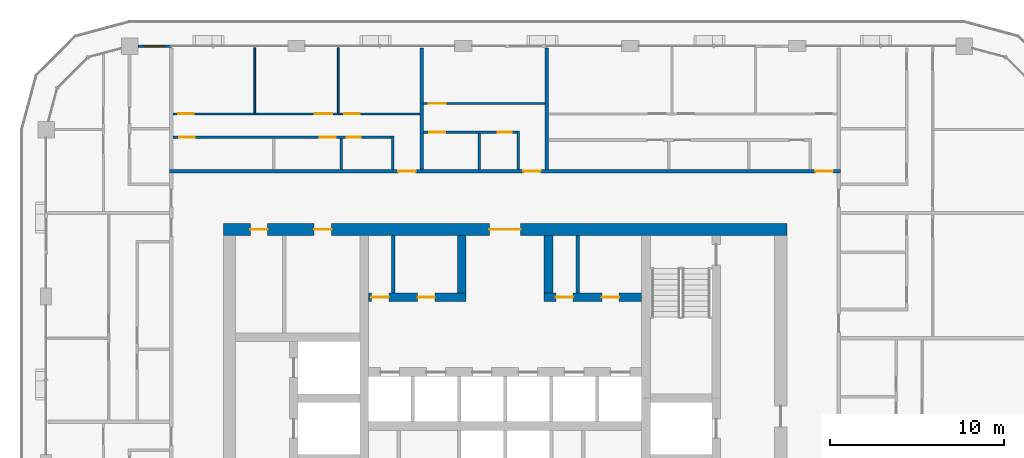
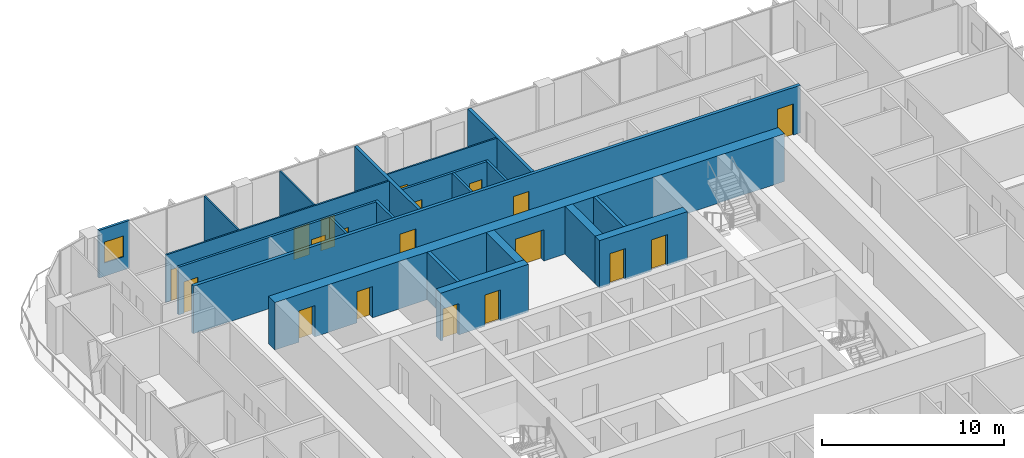
# One storey, part 14 of 22: 21 walls, 19 doors, 1 window, 20 openings.
"""IFC4 building model written with IfcOpenShell, lengths in metres."""

from ifc_helpers import new_model, si_unit, direction, frame, frame_2d, origin, place, context, subcontext, project, spatial, rectangle, extrude, material, layer, layer_set, type_object, element, fill, save


model = new_model("IFC4")

# Units and contexts
model_context = context("Model", 3, precision=1e-05, world=origin(), true_north=direction((0.0, 1.0)))
body_context = subcontext(model_context, "Body", "Model", "MODEL_VIEW")
ifc_project = project(units=[si_unit("LENGTHUNIT", "METRE"), si_unit("AREAUNIT", "SQUARE_METRE"), si_unit("VOLUMEUNIT", "CUBIC_METRE"), si_unit("PLANEANGLEUNIT", "RADIAN"), si_unit("MASSUNIT", "GRAM", prefix="KILO")], contexts=[model_context])

# Site, building, storey
site_placement = place(None, origin())
site = spatial("IfcSite", under=ifc_project, at=site_placement, CompositionType="ELEMENT")
building_placement = place(site_placement, origin())
building = spatial("IfcBuilding", under=site, at=building_placement, Name="Madar Terraces", CompositionType="ELEMENT")
storey_placement = place(building_placement, frame((0.0, 0.0, 178.89990234375)))
storey = spatial("IfcBuildingStorey", under=building, at=storey_placement, Name="L46", CompositionType="ELEMENT", Elevation=178.89990234375)

# Wall, openings, doors
ifc_material_1 = material(Name="Concrete C60/75", Category="concrete")
ifc_layer_1 = layer(ifc_material_1, 0.5)
ifc_layer_set_1 = layer_set([ifc_layer_1], Name="Concrete C60/75 (CIW4 RC wall 500)")
wall_type_1 = type_object("IfcWallType", Name="CIW4 RC wall 500", PredefinedType="SHEAR", material=ifc_layer_set_1)
wall_1_placement = place(storey_placement, frame((23.35009765625, 33.550048828125, 0.0), z_axis=(0.0, 0.0, 1.0), x_axis=(1.0, 0.0, 0.0)))
wall_1 = element("IfcWall", 1, at=wall_1_placement, inside=storey, type_object=wall_type_1, Name="CORE SHAFT WALL", PredefinedType="SHEAR", context=body_context, shape_type="SweptSolid", body=[
    extrude(rectangle(XDim=5.599853515625, YDim=0.5, at=frame_2d((2.7998046875, 0.0))), origin(), (0.0, 0.0, 1.0), 3.2001953125),
])
opening_1_placement = place(wall_1_placement, frame((0.1640625, 0.0, 0.0)))
opening_1 = element("IfcOpeningElement", 2, at=opening_1_placement, cuts=wall_1, Name="Opening KD2", PredefinedType="OPENING", context=body_context, shape_type="SweptSolid", body=[
    extrude(rectangle(XDim=1.0, YDim=2.10009765625, at=frame_2d((0.5, 1.050048828125))), frame((0.0, 0.260009765625, 0.0), z_axis=(0.0, -1.0, 0.0), x_axis=(1.0, 0.0, 0.0)), (0.0, 0.0, 1.0), 0.52001953125),
])
opening_2_placement = place(wall_1_placement, frame((2.81396484375, 0.0, 0.0)))
opening_2 = element("IfcOpeningElement", 3, at=opening_2_placement, cuts=wall_1, Name="Opening KD2", PredefinedType="OPENING", context=body_context, shape_type="SweptSolid", body=[
    extrude(rectangle(XDim=1.0, YDim=2.10009765625, at=frame_2d((0.5, 1.050048828125))), frame((0.0, 0.260009765625, 0.0), z_axis=(0.0, -1.0, 0.0), x_axis=(1.0, 0.0, 0.0)), (0.0, 0.0, 1.0), 0.52001953125),
])
ifc_material_2 = material(Name="Steel door leaf", Category="steel")
door_type_1 = type_object("IfcDoorType", Name="Service room door 1000 x 2100", OperationType="NOTDEFINED", PredefinedType="DOOR", material=ifc_material_2)
door_1_placement = place(opening_1_placement, frame((1.0, 0.0, 0.0), z_axis=(0.0, 0.0, 1.0), x_axis=(-1.0, 0.0, 0.0)))
door_1 = element("IfcDoor", 4, at=door_1_placement, inside=storey, type_object=door_type_1, Name="SERVICE ROOM DOOR", OperationType="SINGLE_SWING_LEFT", OverallHeight=2.10009765625, OverallWidth=1.0, PredefinedType="DOOR", context=body_context, shape_type="SweptSolid", body=[
    extrude(rectangle(XDim=1.0, YDim=2.10009765625, at=frame_2d((0.5, 1.050048828125))), frame((0.0, 0.02490234375, 0.0), z_axis=(0.0, -1.0, 0.0), x_axis=(1.0, 0.0, 0.0)), (0.0, 0.0, 1.0), 0.050048828125),
])
fill(opening_1, door_1)
door_2_placement = place(opening_2_placement, frame((1.0, 0.0, 0.0), z_axis=(0.0, 0.0, 1.0), x_axis=(-1.0, 0.0, 0.0)))
door_2 = element("IfcDoor", 5, at=door_2_placement, inside=storey, type_object=door_type_1, Name="SERVICE ROOM DOOR", OperationType="SINGLE_SWING_RIGHT", OverallHeight=2.10009765625, OverallWidth=1.0, PredefinedType="DOOR", context=body_context, shape_type="SweptSolid", body=[
    extrude(rectangle(XDim=1.0, YDim=2.10009765625, at=frame_2d((0.5, 1.050048828125))), frame((0.0, 0.02490234375, 0.0), z_axis=(0.0, -1.0, 0.0), x_axis=(1.0, 0.0, 0.0)), (0.0, 0.0, 1.0), 0.050048828125),
])
fill(opening_2, door_2)

wall_2_placement = place(storey_placement, frame((33.449951171875, 33.550048828125, 0.0), z_axis=(0.0, 0.0, 1.0), x_axis=(1.0, 0.0, 0.0)))
wall_2 = element("IfcWall", 6, at=wall_2_placement, inside=storey, type_object=wall_type_1, Name="CORE SHAFT WALL", PredefinedType="SHEAR", context=body_context, shape_type="SweptSolid", body=[
    extrude(rectangle(XDim=5.60009765625, YDim=0.5, at=frame_2d((2.800048828125, 0.0))), origin(), (0.0, 0.0, 1.0), 3.2001953125),
])
opening_3_placement = place(wall_2_placement, frame((0.6640625, 0.0, 0.0)))
opening_3 = element("IfcOpeningElement", 7, at=opening_3_placement, cuts=wall_2, Name="Opening KD2", PredefinedType="OPENING", context=body_context, shape_type="SweptSolid", body=[
    extrude(rectangle(XDim=1.0, YDim=2.10009765625, at=frame_2d((0.5, 1.050048828125))), frame((0.0, 0.260009765625, 0.0), z_axis=(0.0, -1.0, 0.0), x_axis=(1.0, 0.0, 0.0)), (0.0, 0.0, 1.0), 0.52001953125),
])
opening_4_placement = place(wall_2_placement, frame((3.31396484375, 0.0, 0.0)))
opening_4 = element("IfcOpeningElement", 8, at=opening_4_placement, cuts=wall_2, Name="Opening KD2", PredefinedType="OPENING", context=body_context, shape_type="SweptSolid", body=[
    extrude(rectangle(XDim=1.0, YDim=2.10009765625, at=frame_2d((0.5, 1.050048828125))), frame((0.0, 0.260009765625, 0.0), z_axis=(0.0, -1.0, 0.0), x_axis=(1.0, 0.0, 0.0)), (0.0, 0.0, 1.0), 0.52001953125),
])
door_3_placement = place(opening_3_placement, frame((1.0, 0.0, 0.0), z_axis=(0.0, 0.0, 1.0), x_axis=(-1.0, 0.0, 0.0)))
door_3 = element("IfcDoor", 9, at=door_3_placement, inside=storey, type_object=door_type_1, Name="SERVICE ROOM DOOR", OperationType="SINGLE_SWING_LEFT", OverallHeight=2.10009765625, OverallWidth=1.0, PredefinedType="DOOR", context=body_context, shape_type="SweptSolid", body=[
    extrude(rectangle(XDim=1.0, YDim=2.10009765625, at=frame_2d((0.5, 1.050048828125))), frame((0.0, 0.02490234375, 0.0), z_axis=(0.0, -1.0, 0.0), x_axis=(1.0, 0.0, 0.0)), (0.0, 0.0, 1.0), 0.050048828125),
])
fill(opening_3, door_3)
door_4_placement = place(opening_4_placement, frame((1.0, 0.0, 0.0), z_axis=(0.0, 0.0, 1.0), x_axis=(-1.0, 0.0, 0.0)))
door_4 = element("IfcDoor", 10, at=door_4_placement, inside=storey, type_object=door_type_1, Name="SERVICE ROOM DOOR", OperationType="SINGLE_SWING_RIGHT", OverallHeight=2.10009765625, OverallWidth=1.0, PredefinedType="DOOR", context=body_context, shape_type="SweptSolid", body=[
    extrude(rectangle(XDim=1.0, YDim=2.10009765625, at=frame_2d((0.5, 1.050048828125))), frame((0.0, 0.02490234375, 0.0), z_axis=(0.0, -1.0, 0.0), x_axis=(1.0, 0.0, 0.0)), (0.0, 0.0, 1.0), 0.050048828125),
])
fill(opening_4, door_4)

# Walls
for number, where, z_axis, x_axis, name in (
    (11, (28.699951171875, 33.800048828125, 0.0), (0.0, 0.0, 1.0), (0.0, 1.0, 0.0), "CORE SHAFT WALL"),
    (12, (33.699951171875, 33.800048828125, 0.0), (0.0, 0.0, 1.0), (0.0, 1.0, 0.0), "CORE SHAFT WALL"),
):
    element("IfcWall", number, at=place(storey_placement, frame(where, z_axis=z_axis, x_axis=x_axis)), inside=storey, type_object=wall_type_1, Name=name, PredefinedType="SHEAR", context=body_context, shape_type="SweptSolid", body=[
        extrude(rectangle(XDim=3.300048828125, YDim=0.5, at=frame_2d((1.64990234375, 0.0))), origin(), (0.0, 0.0, 1.0), 3.2001953125),
    ])

# Wall, openings, doors
ifc_material_3 = material(Name="Concrete C60/75", Category="concrete")
ifc_layer_2 = layer(ifc_material_3, 0.699951171875)
ifc_layer_set_2 = layer_set([ifc_layer_2], Name="Concrete C60/75 (CRW4 RC wall 700)")
wall_type_2 = type_object("IfcWallType", Name="CRW4 RC wall 700", PredefinedType="SHEAR", material=ifc_layer_set_2)
wall_3_placement = place(storey_placement, frame((15.0, 37.449951171875, 0.0), z_axis=(0.0, 0.0, 1.0), x_axis=(1.0, 0.0, 0.0)))
wall_3 = element("IfcWall", 13, at=wall_3_placement, inside=storey, type_object=wall_type_2, Name="CORE OUTER WALL", PredefinedType="SHEAR", context=body_context, shape_type="SweptSolid", body=[
    extrude(rectangle(XDim=32.39990234375, YDim=0.699951171875, at=frame_2d((16.199951171875, 0.0))), origin(), (0.0, 0.0, 1.0), 3.2001953125),
])
opening_5_placement = place(wall_3_placement, frame((15.300048828125, 0.0, 0.0)))
opening_5 = element("IfcOpeningElement", 14, at=opening_5_placement, cuts=wall_3, Name="Opening KD1", PredefinedType="OPENING", context=body_context, shape_type="SweptSolid", body=[
    extrude(rectangle(XDim=1.800048828125, YDim=2.10009765625, at=frame_2d((0.89990234375, 1.050048828125))), frame((0.0, 0.35986328125, 0.0), z_axis=(0.0, -1.0, 0.0), x_axis=(1.0, 0.0, 0.0)), (0.0, 0.0, 1.0), 0.719970703125),
])
opening_6_placement = place(wall_3_placement, frame((1.544189453125, 0.0, 0.0)))
opening_6 = element("IfcOpeningElement", 15, at=opening_6_placement, cuts=wall_3, Name="Opening KD2", PredefinedType="OPENING", context=body_context, shape_type="SweptSolid", body=[
    extrude(rectangle(XDim=1.0, YDim=2.10009765625, at=frame_2d((0.5, 1.050048828125))), frame((0.0, 0.35986328125, 0.0), z_axis=(0.0, -1.0, 0.0), x_axis=(1.0, 0.0, 0.0)), (0.0, 0.0, 1.0), 0.719970703125),
])
opening_7_placement = place(wall_3_placement, frame((5.21923828125, 0.0, 0.0)))
opening_7 = element("IfcOpeningElement", 16, at=opening_7_placement, cuts=wall_3, Name="Opening KD2", PredefinedType="OPENING", context=body_context, shape_type="SweptSolid", body=[
    extrude(rectangle(XDim=1.0, YDim=2.10009765625, at=frame_2d((0.5, 1.050048828125))), frame((0.0, 0.35986328125, 0.0), z_axis=(0.0, -1.0, 0.0), x_axis=(1.0, 0.0, 0.0)), (0.0, 0.0, 1.0), 0.719970703125),
])
ifc_material_4 = material(Name="Steel door leaf", Category="steel")
door_type_2 = type_object("IfcDoorType", Name="Lobby door pair 1800 x 2100", OperationType="DOUBLE_DOOR_SINGLE_SWING", PredefinedType="DOOR", material=ifc_material_4)
door_5_placement = place(opening_5_placement, origin())
door_5 = element("IfcDoor", 17, at=door_5_placement, inside=storey, type_object=door_type_2, Name="LIFT LOBBY DOOR", OperationType="DOUBLE_DOOR_SINGLE_SWING", OverallHeight=2.10009765625, OverallWidth=1.800048828125, PredefinedType="DOOR", context=body_context, shape_type="SweptSolid", body=[
    extrude(rectangle(XDim=1.800048828125, YDim=2.10009765625, at=frame_2d((0.89990234375, 1.050048828125))), frame((0.0, 0.02490234375, 0.0), z_axis=(0.0, -1.0, 0.0), x_axis=(1.0, 0.0, 0.0)), (0.0, 0.0, 1.0), 0.050048828125),
])
fill(opening_5, door_5)
door_6_placement = place(opening_6_placement, origin())
door_6 = element("IfcDoor", 18, at=door_6_placement, inside=storey, type_object=door_type_1, Name="SERVICE ROOM DOOR", OperationType="SINGLE_SWING_LEFT", OverallHeight=2.10009765625, OverallWidth=1.0, PredefinedType="DOOR", context=body_context, shape_type="SweptSolid", body=[
    extrude(rectangle(XDim=1.0, YDim=2.10009765625, at=frame_2d((0.5, 1.050048828125))), frame((0.0, 0.02490234375, 0.0), z_axis=(0.0, -1.0, 0.0), x_axis=(1.0, 0.0, 0.0)), (0.0, 0.0, 1.0), 0.050048828125),
])
fill(opening_6, door_6)
door_7_placement = place(opening_7_placement, origin())
door_7 = element("IfcDoor", 19, at=door_7_placement, inside=storey, type_object=door_type_1, Name="SERVICE ROOM DOOR", OperationType="SINGLE_SWING_RIGHT", OverallHeight=2.10009765625, OverallWidth=1.0, PredefinedType="DOOR", context=body_context, shape_type="SweptSolid", body=[
    extrude(rectangle(XDim=1.0, YDim=2.10009765625, at=frame_2d((0.5, 1.050048828125))), frame((0.0, 0.02490234375, 0.0), z_axis=(0.0, -1.0, 0.0), x_axis=(1.0, 0.0, 0.0)), (0.0, 0.0, 1.0), 0.050048828125),
])
fill(opening_7, door_7)

# Walls
ifc_material_5 = material(Name="Masonry blockwork", Category="masonry")
ifc_layer_3 = layer(ifc_material_5, 0.199951171875)
ifc_layer_set_3 = layer_set([ifc_layer_3], Name="Core partition 200 blockwork")
wall_type_3 = type_object("IfcWallType", Name="Core partition 200 blockwork", PredefinedType="PARTITIONING", material=ifc_layer_set_3)
for number, where, z_axis, x_axis, name in (
    (20, (24.778076171875, 33.800048828125, 0.0), (0.0, 0.0, 1.0), (0.0, 1.0, 0.0), "SERVICE ROOM PARTITION"),
    (21, (35.3779296875, 33.800048828125, 0.0), (0.0, 0.0, 1.0), (0.0, 1.0, 0.0), "SERVICE ROOM PARTITION"),
):
    element("IfcWall", number, at=place(storey_placement, frame(where, z_axis=z_axis, x_axis=x_axis)), inside=storey, type_object=wall_type_3, Name=name, PredefinedType="PARTITIONING", context=body_context, shape_type="SweptSolid", body=[
        extrude(rectangle(XDim=3.300048828125, YDim=0.199951171875, at=frame_2d((1.64990234375, 0.0))), origin(), (0.0, 0.0, 1.0), 3.2001953125),
    ])

# Wall, opening, window
ifc_material_6 = material(Name="Aluminium composite panel, black, over insulated backing", Category="aluminium")
ifc_layer_4 = layer(ifc_material_6, 0.14990234375)
ifc_layer_set_4 = layer_set([ifc_layer_4], Name="Facade bay panel 150")
wall_type_4 = type_object("IfcWallType", Name="Facade bay panel 150", PredefinedType="SOLIDWALL", material=ifc_layer_set_4)
wall_4_placement = place(storey_placement, frame((12.0, 48.0, 0.0), z_axis=(0.0, 0.0, 1.0), x_axis=(-1.0, 0.0, 0.0)))
wall_4 = element("IfcWall", 22, at=wall_4_placement, inside=storey, type_object=wall_type_4, Name="Facade bay panel", PredefinedType="SOLIDWALL", context=body_context, shape_type="SweptSolid", body=[
    extrude(rectangle(XDim=1.925048828125, YDim=0.14990234375, at=frame_2d((0.96240234375, 0.0))), origin(), (0.0, 0.0, 1.0), 3.2001953125),
])
opening_8_placement = place(wall_4_placement, frame((0.362548828125, 0.0, 0.89990234375)))
opening_8 = element("IfcOpeningElement", 23, at=opening_8_placement, cuts=wall_4, Name="Opening W1", PredefinedType="OPENING", context=body_context, shape_type="SweptSolid", body=[
    extrude(rectangle(XDim=1.199951171875, YDim=1.39990234375, at=frame_2d((0.60009765625, 0.699951171875))), frame((0.0, 0.0849609375, 0.0), z_axis=(0.0, -1.0, 0.0), x_axis=(1.0, 0.0, 0.0)), (0.0, 0.0, 1.0), 0.169921875),
])
ifc_material_7 = material(Name="Glass, clear, with black aluminium frame", Category="aluminium")
window_type = type_object("IfcWindowType", Name="Vent window 1200 x 1400", PartitioningType="SINGLE_PANEL", PredefinedType="WINDOW", material=ifc_material_7)
window_placement = place(opening_8_placement, origin())
window = element("IfcWindow", 24, at=window_placement, inside=storey, type_object=window_type, Name="Operable vent window", OverallHeight=1.39990234375, OverallWidth=1.199951171875, PartitioningType="SINGLE_PANEL", PredefinedType="WINDOW", context=body_context, shape_type="SweptSolid", body=[
    extrude(rectangle(XDim=1.199951171875, YDim=1.39990234375, at=frame_2d((0.60009765625, 0.699951171875))), frame((0.0, 0.030029296875, 0.0), z_axis=(0.0, -1.0, 0.0), x_axis=(1.0, 0.0, 0.0)), (0.0, 0.0, 1.0), 0.06005859375),
])
fill(opening_8, window)

# Wall, opening, door
ifc_material_8 = material(Name="Gypsum board on steel studs", Category="steel")
ifc_layer_5 = layer(ifc_material_8, 0.10009765625)
ifc_layer_set_5 = layer_set([ifc_layer_5], Name="Flat partition 100")
wall_type_5 = type_object("IfcWallType", Name="Flat partition 100", PredefinedType="PARTITIONING", material=ifc_layer_set_5)
wall_5_placement = place(storey_placement, frame((26.5, 44.699951171875, 0.0), z_axis=(0.0, 0.0, 1.0), x_axis=(1.0, 0.0, 0.0)))
wall_5 = element("IfcWall", 25, at=wall_5_placement, inside=storey, type_object=wall_type_5, Name="Flat partition 100", PredefinedType="PARTITIONING", context=body_context, shape_type="SweptSolid", body=[
    extrude(rectangle(XDim=7.0, YDim=0.10009765625, at=frame_2d((3.5, 0.0))), origin(), (0.0, 0.0, 1.0), 3.2001953125),
])
opening_9_placement = place(wall_5_placement, frame((0.300048828125, 0.0, 0.0)))
opening_9 = element("IfcOpeningElement", 26, at=opening_9_placement, cuts=wall_5, Name="Opening D3", PredefinedType="OPENING", context=body_context, shape_type="SweptSolid", body=[
    extrude(rectangle(XDim=1.0, YDim=2.10009765625, at=frame_2d((0.5, 1.050048828125))), frame((0.0, 0.06005859375, 0.0), z_axis=(0.0, -1.0, 0.0), x_axis=(1.0, 0.0, 0.0)), (0.0, 0.0, 1.0), 0.1201171875),
])
ifc_material_9 = material(Name="Timber door leaf", Category="wood")
door_type_3 = type_object("IfcDoorType", Name="Flat living room door 1000", OperationType="NOTDEFINED", PredefinedType="DOOR", material=ifc_material_9)
door_8_placement = place(opening_9_placement, origin())
door_8 = element("IfcDoor", 27, at=door_8_placement, inside=storey, type_object=door_type_3, Name="Flat living room door 1000", OperationType="SINGLE_SWING_LEFT", OverallHeight=2.10009765625, OverallWidth=1.0, PredefinedType="DOOR", context=body_context, shape_type="SweptSolid", body=[
    extrude(rectangle(XDim=1.0, YDim=2.10009765625, at=frame_2d((0.5, 1.050048828125))), frame((0.0, 0.02490234375, 0.0), z_axis=(0.0, -1.0, 0.0), x_axis=(1.0, 0.0, 0.0)), (0.0, 0.0, 1.0), 0.050048828125),
])
fill(opening_9, door_8)

# Walls
for number, where, z_axis, x_axis, name in (
    (28, (21.60009765625, 44.14990234375, 0.0), (0.0, 0.0, 1.0), (0.0, 1.0, 0.0), "Flat partition 100"),
    (29, (16.800048828125, 44.14990234375, 0.0), (0.0, 0.0, 1.0), (0.0, 1.0, 0.0), "Flat partition 100"),
):
    element("IfcWall", number, at=place(storey_placement, frame(where, z_axis=z_axis, x_axis=x_axis)), inside=storey, type_object=wall_type_5, Name=name, PredefinedType="PARTITIONING", context=body_context, shape_type="SweptSolid", body=[
        extrude(rectangle(XDim=3.75, YDim=0.10009765625, at=frame_2d((1.875, 0.0))), origin(), (0.0, 0.0, 1.0), 3.2001953125),
    ])

# Wall, openings, doors
wall_6_placement = place(storey_placement, frame((12.10009765625, 44.10009765625, 0.0), z_axis=(0.0, 0.0, 1.0), x_axis=(1.0, 0.0, 0.0)))
wall_6 = element("IfcWall", 30, at=wall_6_placement, inside=storey, type_object=wall_type_5, Name="Flat partition 100", PredefinedType="PARTITIONING", context=body_context, shape_type="SweptSolid", body=[
    extrude(rectangle(XDim=14.199951171875, YDim=0.10009765625, at=frame_2d((7.10009765625, 0.0))), origin(), (0.0, 0.0, 1.0), 3.2001953125),
])
opening_10_placement = place(wall_6_placement, frame((9.85009765625, 0.0, 0.0)))
opening_10 = element("IfcOpeningElement", 31, at=opening_10_placement, cuts=wall_6, Name="Opening D2", PredefinedType="OPENING", context=body_context, shape_type="SweptSolid", body=[
    extrude(rectangle(XDim=0.89990234375, YDim=2.10009765625, at=frame_2d((0.449951171875, 1.050048828125))), frame((0.0, 0.06005859375, 0.0), z_axis=(0.0, -1.0, 0.0), x_axis=(1.0, 0.0, 0.0)), (0.0, 0.0, 1.0), 0.1201171875),
])
opening_11_placement = place(wall_6_placement, frame((8.14990234375, 0.0, 0.0)))
opening_11 = element("IfcOpeningElement", 32, at=opening_11_placement, cuts=wall_6, Name="Opening D3", PredefinedType="OPENING", context=body_context, shape_type="SweptSolid", body=[
    extrude(rectangle(XDim=1.0, YDim=2.10009765625, at=frame_2d((0.5, 1.050048828125))), frame((0.0, 0.06005859375, 0.0), z_axis=(0.0, -1.0, 0.0), x_axis=(1.0, 0.0, 0.0)), (0.0, 0.0, 1.0), 0.1201171875),
])
opening_12_placement = place(wall_6_placement, frame((0.300048828125, 0.0, 0.0)))
opening_12 = element("IfcOpeningElement", 33, at=opening_12_placement, cuts=wall_6, Name="Opening D2", PredefinedType="OPENING", context=body_context, shape_type="SweptSolid", body=[
    extrude(rectangle(XDim=0.89990234375, YDim=2.10009765625, at=frame_2d((0.449951171875, 1.050048828125))), frame((0.0, 0.06005859375, 0.0), z_axis=(0.0, -1.0, 0.0), x_axis=(1.0, 0.0, 0.0)), (0.0, 0.0, 1.0), 0.1201171875),
])
door_9_placement = place(opening_11_placement, origin())
door_9 = element("IfcDoor", 34, at=door_9_placement, inside=storey, type_object=door_type_3, Name="Flat living room door 1000", OperationType="SINGLE_SWING_RIGHT", OverallHeight=2.10009765625, OverallWidth=1.0, PredefinedType="DOOR", context=body_context, shape_type="SweptSolid", body=[
    extrude(rectangle(XDim=1.0, YDim=2.10009765625, at=frame_2d((0.5, 1.050048828125))), frame((0.0, 0.02490234375, 0.0), z_axis=(0.0, -1.0, 0.0), x_axis=(1.0, 0.0, 0.0)), (0.0, 0.0, 1.0), 0.050048828125),
])
fill(opening_11, door_9)
ifc_material_10 = material(Name="Timber door leaf", Category="wood")
door_type_4 = type_object("IfcDoorType", Name="Flat room door 900", OperationType="NOTDEFINED", PredefinedType="DOOR", material=ifc_material_10)
door_10_placement = place(opening_10_placement, origin())
door_10 = element("IfcDoor", 35, at=door_10_placement, inside=storey, type_object=door_type_4, Name="Flat room door 900", OperationType="SINGLE_SWING_LEFT", OverallHeight=2.10009765625, OverallWidth=0.89990234375, PredefinedType="DOOR", context=body_context, shape_type="SweptSolid", body=[
    extrude(rectangle(XDim=0.89990234375, YDim=2.10009765625, at=frame_2d((0.449951171875, 1.050048828125))), frame((0.0, 0.02490234375, 0.0), z_axis=(0.0, -1.0, 0.0), x_axis=(1.0, 0.0, 0.0)), (0.0, 0.0, 1.0), 0.050048828125),
])
fill(opening_10, door_10)
door_11_placement = place(opening_12_placement, origin())
door_11 = element("IfcDoor", 36, at=door_11_placement, inside=storey, type_object=door_type_4, Name="Flat room door 900", OperationType="SINGLE_SWING_LEFT", OverallHeight=2.10009765625, OverallWidth=0.89990234375, PredefinedType="DOOR", context=body_context, shape_type="SweptSolid", body=[
    extrude(rectangle(XDim=0.89990234375, YDim=2.10009765625, at=frame_2d((0.449951171875, 1.050048828125))), frame((0.0, 0.02490234375, 0.0), z_axis=(0.0, -1.0, 0.0), x_axis=(1.0, 0.0, 0.0)), (0.0, 0.0, 1.0), 0.050048828125),
])
fill(opening_12, door_11)

ifc_material_11 = material(Name="Lightweight blockwork", Category="masonry")
ifc_layer_6 = layer(ifc_material_11, 0.199951171875)
ifc_layer_set_6 = layer_set([ifc_layer_6], Name="Flat party and entrance wall 200")
wall_type_6 = type_object("IfcWallType", Name="Flat party and entrance wall 200", PredefinedType="PARTITIONING", material=ifc_layer_set_6)
wall_7_placement = place(storey_placement, frame((11.89990234375, 40.800048828125, 0.0), z_axis=(0.0, 0.0, 1.0), x_axis=(1.0, 0.0, 0.0)))
wall_7 = element("IfcWall", 37, at=wall_7_placement, inside=storey, type_object=wall_type_6, Name="Flat party and entrance wall 200", PredefinedType="PARTITIONING", context=body_context, shape_type="SweptSolid", body=[
    extrude(rectangle(XDim=38.60009765625, YDim=0.199951171875, at=frame_2d((19.300048828125, 0.0))), origin(), (0.0, 0.0, 1.0), 3.2001953125),
])
opening_13_placement = place(wall_7_placement, frame((37.14990234375, 0.0, 0.0)))
opening_13 = element("IfcOpeningElement", 38, at=opening_13_placement, cuts=wall_7, Name="Opening D1", PredefinedType="OPENING", context=body_context, shape_type="SweptSolid", body=[
    extrude(rectangle(XDim=1.0, YDim=2.10009765625, at=frame_2d((0.5, 1.050048828125))), frame((0.0, 0.10986328125, 0.0), z_axis=(0.0, -1.0, 0.0), x_axis=(1.0, 0.0, 0.0)), (0.0, 0.0, 1.0), 0.219970703125),
])
opening_14_placement = place(wall_7_placement, frame((20.35009765625, 0.0, 0.0)))
opening_14 = element("IfcOpeningElement", 39, at=opening_14_placement, cuts=wall_7, Name="Opening D1", PredefinedType="OPENING", context=body_context, shape_type="SweptSolid", body=[
    extrude(rectangle(XDim=1.0, YDim=2.10009765625, at=frame_2d((0.5, 1.050048828125))), frame((0.0, 0.10986328125, 0.0), z_axis=(0.0, -1.0, 0.0), x_axis=(1.0, 0.0, 0.0)), (0.0, 0.0, 1.0), 0.219970703125),
])
opening_15_placement = place(wall_7_placement, frame((13.14990234375, 0.0, 0.0)))
opening_15 = element("IfcOpeningElement", 40, at=opening_15_placement, cuts=wall_7, Name="Opening D1", PredefinedType="OPENING", context=body_context, shape_type="SweptSolid", body=[
    extrude(rectangle(XDim=1.0, YDim=2.10009765625, at=frame_2d((0.5, 1.050048828125))), frame((0.0, 0.10986328125, 0.0), z_axis=(0.0, -1.0, 0.0), x_axis=(1.0, 0.0, 0.0)), (0.0, 0.0, 1.0), 0.219970703125),
])
ifc_material_12 = material(Name="Timber fire door leaf", Category="wood")
door_type_5 = type_object("IfcDoorType", Name="Flat entrance door 1000 FD30S", OperationType="NOTDEFINED", PredefinedType="DOOR", material=ifc_material_12)
door_12_placement = place(opening_13_placement, origin())
door_12 = element("IfcDoor", 41, at=door_12_placement, inside=storey, type_object=door_type_5, Name="Flat entrance door 1000 FD30S", OperationType="SINGLE_SWING_RIGHT", OverallHeight=2.10009765625, OverallWidth=1.0, PredefinedType="DOOR", context=body_context, shape_type="SweptSolid", body=[
    extrude(rectangle(XDim=1.0, YDim=2.10009765625, at=frame_2d((0.5, 1.050048828125))), frame((0.0, 0.02490234375, 0.0), z_axis=(0.0, -1.0, 0.0), x_axis=(1.0, 0.0, 0.0)), (0.0, 0.0, 1.0), 0.050048828125),
])
fill(opening_13, door_12)
door_13_placement = place(opening_14_placement, origin())
door_13 = element("IfcDoor", 42, at=door_13_placement, inside=storey, type_object=door_type_5, Name="Flat entrance door 1000 FD30S", OperationType="SINGLE_SWING_RIGHT", OverallHeight=2.10009765625, OverallWidth=1.0, PredefinedType="DOOR", context=body_context, shape_type="SweptSolid", body=[
    extrude(rectangle(XDim=1.0, YDim=2.10009765625, at=frame_2d((0.5, 1.050048828125))), frame((0.0, 0.02490234375, 0.0), z_axis=(0.0, -1.0, 0.0), x_axis=(1.0, 0.0, 0.0)), (0.0, 0.0, 1.0), 0.050048828125),
])
fill(opening_14, door_13)
door_14_placement = place(opening_15_placement, origin())
door_14 = element("IfcDoor", 43, at=door_14_placement, inside=storey, type_object=door_type_5, Name="Flat entrance door 1000 FD30S", OperationType="SINGLE_SWING_RIGHT", OverallHeight=2.10009765625, OverallWidth=1.0, PredefinedType="DOOR", context=body_context, shape_type="SweptSolid", body=[
    extrude(rectangle(XDim=1.0, YDim=2.10009765625, at=frame_2d((0.5, 1.050048828125))), frame((0.0, 0.02490234375, 0.0), z_axis=(0.0, -1.0, 0.0), x_axis=(1.0, 0.0, 0.0)), (0.0, 0.0, 1.0), 0.050048828125),
])
fill(opening_15, door_14)

# Walls
for number, where, z_axis, x_axis, name in (
    (44, (33.60009765625, 47.89990234375, 0.0), (0.0, 0.0, 1.0), (0.0, -1.0, 0.0), "Flat party and entrance wall 200"),
    (45, (26.39990234375, 47.89990234375, 0.0), (0.0, 0.0, 1.0), (0.0, -1.0, 0.0), "Flat party and entrance wall 200"),
):
    element("IfcWall", number, at=place(storey_placement, frame(where, z_axis=z_axis, x_axis=x_axis)), inside=storey, type_object=wall_type_6, Name=name, PredefinedType="PARTITIONING", context=body_context, shape_type="SweptSolid", body=[
        extrude(rectangle(XDim=7.0, YDim=0.199951171875, at=frame_2d((3.5, 0.0))), origin(), (0.0, 0.0, 1.0), 3.2001953125),
    ])
ifc_material_13 = material(Name="Lightweight blockwork", Category="masonry")
ifc_layer_7 = layer(ifc_material_13, 0.14990234375)
ifc_layer_set_7 = layer_set([ifc_layer_7], Name="Flat wet-room partition 150")
wall_type_7 = type_object("IfcWallType", Name="Flat wet-room partition 150", PredefinedType="PARTITIONING", material=ifc_layer_set_7)
wall_8_placement = place(storey_placement, frame((29.72509765625, 40.89990234375, 0.0), z_axis=(0.0, 0.0, 1.0), x_axis=(0.0, 1.0, 0.0)))
element("IfcWall", 46, at=wall_8_placement, inside=storey, type_object=wall_type_7, Name="Flat wet-room partition 150", PredefinedType="PARTITIONING", context=body_context, shape_type="SweptSolid", body=[
    extrude(rectangle(XDim=2.0751953125, YDim=0.14990234375, at=frame_2d((1.03759765625, 0.0))), origin(), (0.0, 0.0, 1.0), 3.2001953125),
])
wall_9_placement = place(storey_placement, frame((31.949951171875, 40.89990234375, 0.0), z_axis=(0.0, 0.0, 1.0), x_axis=(0.0, 1.0, 0.0)))
element("IfcWall", 47, at=wall_9_placement, inside=storey, type_object=wall_type_7, Name="Flat wet-room partition 150", PredefinedType="PARTITIONING", context=body_context, shape_type="SweptSolid", body=[
    extrude(rectangle(XDim=2.22509765625, YDim=0.14990234375, at=frame_2d((1.112548828125, 0.0))), origin(), (0.0, 0.0, 1.0), 3.2001953125),
])

# Wall, openings, doors
wall_10_placement = place(storey_placement, frame((31.875, 43.050048828125, 0.0), z_axis=(0.0, 0.0, 1.0), x_axis=(-1.0, 0.0, 0.0)))
wall_10 = element("IfcWall", 48, at=wall_10_placement, inside=storey, type_object=wall_type_7, Name="Flat wet-room partition 150", PredefinedType="PARTITIONING", context=body_context, shape_type="SweptSolid", body=[
    extrude(rectangle(XDim=5.375, YDim=0.14990234375, at=frame_2d((2.6875, 0.0))), origin(), (0.0, 0.0, 1.0), 3.2001953125),
])
opening_16_placement = place(wall_10_placement, frame((0.300048828125, 0.0, 0.0)))
opening_16 = element("IfcOpeningElement", 49, at=opening_16_placement, cuts=wall_10, Name="Opening D4", PredefinedType="OPENING", context=body_context, shape_type="SweptSolid", body=[
    extrude(rectangle(XDim=0.800048828125, YDim=2.10009765625, at=frame_2d((0.39990234375, 1.050048828125))), frame((0.0, 0.0849609375, 0.0), z_axis=(0.0, -1.0, 0.0), x_axis=(1.0, 0.0, 0.0)), (0.0, 0.0, 1.0), 0.169921875),
])
opening_17_placement = place(wall_10_placement, frame((4.125, 0.0, 0.0)))
opening_17 = element("IfcOpeningElement", 50, at=opening_17_placement, cuts=wall_10, Name="Opening D2", PredefinedType="OPENING", context=body_context, shape_type="SweptSolid", body=[
    extrude(rectangle(XDim=0.89990234375, YDim=2.10009765625, at=frame_2d((0.449951171875, 1.050048828125))), frame((0.0, 0.0849609375, 0.0), z_axis=(0.0, -1.0, 0.0), x_axis=(1.0, 0.0, 0.0)), (0.0, 0.0, 1.0), 0.169921875),
])
ifc_material_14 = material(Name="Timber door leaf", Category="wood")
door_type_6 = type_object("IfcDoorType", Name="Flat bathroom door 800", OperationType="NOTDEFINED", PredefinedType="DOOR", material=ifc_material_14)
door_15_placement = place(opening_16_placement, origin())
door_15 = element("IfcDoor", 51, at=door_15_placement, inside=storey, type_object=door_type_6, Name="Flat bathroom door 800", OperationType="SINGLE_SWING_LEFT", OverallHeight=2.10009765625, OverallWidth=0.800048828125, PredefinedType="DOOR", context=body_context, shape_type="SweptSolid", body=[
    extrude(rectangle(XDim=0.800048828125, YDim=2.10009765625, at=frame_2d((0.39990234375, 1.050048828125))), frame((0.0, 0.02490234375, 0.0), z_axis=(0.0, -1.0, 0.0), x_axis=(1.0, 0.0, 0.0)), (0.0, 0.0, 1.0), 0.050048828125),
])
fill(opening_16, door_15)
door_16_placement = place(opening_17_placement, origin())
door_16 = element("IfcDoor", 52, at=door_16_placement, inside=storey, type_object=door_type_4, Name="Flat room door 900", OperationType="SINGLE_SWING_RIGHT", OverallHeight=2.10009765625, OverallWidth=0.89990234375, PredefinedType="DOOR", context=body_context, shape_type="SweptSolid", body=[
    extrude(rectangle(XDim=0.89990234375, YDim=2.10009765625, at=frame_2d((0.449951171875, 1.050048828125))), frame((0.0, 0.02490234375, 0.0), z_axis=(0.0, -1.0, 0.0), x_axis=(1.0, 0.0, 0.0)), (0.0, 0.0, 1.0), 0.050048828125),
])
fill(opening_17, door_16)

# Walls
wall_11_placement = place(storey_placement, frame((21.773193359375, 40.89990234375, 0.0), z_axis=(0.0, 0.0, 1.0), x_axis=(0.0, 1.0, 0.0)))
element("IfcWall", 53, at=wall_11_placement, inside=storey, type_object=wall_type_7, Name="Flat wet-room partition 150", PredefinedType="PARTITIONING", context=body_context, shape_type="SweptSolid", body=[
    extrude(rectangle(XDim=1.775146484375, YDim=0.14990234375, at=frame_2d((0.8876953125, 0.0))), origin(), (0.0, 0.0, 1.0), 3.2001953125),
])
wall_12_placement = place(storey_placement, frame((24.75, 40.89990234375, 0.0), z_axis=(0.0, 0.0, 1.0), x_axis=(0.0, 1.0, 0.0)))
element("IfcWall", 54, at=wall_12_placement, inside=storey, type_object=wall_type_7, Name="Flat wet-room partition 150", PredefinedType="PARTITIONING", context=body_context, shape_type="SweptSolid", body=[
    extrude(rectangle(XDim=1.925048828125, YDim=0.14990234375, at=frame_2d((0.96240234375, 0.0))), origin(), (0.0, 0.0, 1.0), 3.2001953125),
])

# Wall, openings, doors
wall_13_placement = place(storey_placement, frame((24.675048828125, 42.75, 0.0), z_axis=(0.0, 0.0, 1.0), x_axis=(-1.0, 0.0, 0.0)))
wall_13 = element("IfcWall", 55, at=wall_13_placement, inside=storey, type_object=wall_type_7, Name="Flat wet-room partition 150", PredefinedType="PARTITIONING", context=body_context, shape_type="SweptSolid", body=[
    extrude(rectangle(XDim=12.574951171875, YDim=0.14990234375, at=frame_2d((6.28759765625, 0.0))), origin(), (0.0, 0.0, 1.0), 3.2001953125),
])
opening_18_placement = place(wall_13_placement, frame((1.77685546875, 0.0, 0.0)))
opening_18 = element("IfcOpeningElement", 56, at=opening_18_placement, cuts=wall_13, Name="Opening D4", PredefinedType="OPENING", context=body_context, shape_type="SweptSolid", body=[
    extrude(rectangle(XDim=0.800048828125, YDim=2.10009765625, at=frame_2d((0.39990234375, 1.050048828125))), frame((0.0, 0.0849609375, 0.0), z_axis=(0.0, -1.0, 0.0), x_axis=(1.0, 0.0, 0.0)), (0.0, 0.0, 1.0), 0.169921875),
])
opening_19_placement = place(wall_13_placement, frame((3.226806640625, 0.0, 0.0)))
opening_19 = element("IfcOpeningElement", 57, at=opening_19_placement, cuts=wall_13, Name="Opening D5", PredefinedType="OPENING", context=body_context, shape_type="SweptSolid", body=[
    extrude(rectangle(XDim=0.89990234375, YDim=2.10009765625, at=frame_2d((0.449951171875, 1.050048828125))), frame((0.0, 0.0849609375, 0.0), z_axis=(0.0, -1.0, 0.0), x_axis=(1.0, 0.0, 0.0)), (0.0, 0.0, 1.0), 0.169921875),
])
opening_20_placement = place(wall_13_placement, frame((11.324951171875, 0.0, 0.0)))
opening_20 = element("IfcOpeningElement", 58, at=opening_20_placement, cuts=wall_13, Name="Opening D2", PredefinedType="OPENING", context=body_context, shape_type="SweptSolid", body=[
    extrude(rectangle(XDim=0.89990234375, YDim=2.10009765625, at=frame_2d((0.449951171875, 1.050048828125))), frame((0.0, 0.0849609375, 0.0), z_axis=(0.0, -1.0, 0.0), x_axis=(1.0, 0.0, 0.0)), (0.0, 0.0, 1.0), 0.169921875),
])
ifc_material_15 = material(Name="Timber door leaf", Category="wood")
door_type_7 = type_object("IfcDoorType", Name="Flat accessible bathroom door 900", OperationType="NOTDEFINED", PredefinedType="DOOR", material=ifc_material_15)
door_17_placement = place(opening_19_placement, origin())
door_17 = element("IfcDoor", 59, at=door_17_placement, inside=storey, type_object=door_type_7, Name="Flat accessible bathroom door 900", OperationType="SINGLE_SWING_LEFT", OverallHeight=2.10009765625, OverallWidth=0.89990234375, PredefinedType="DOOR", context=body_context, shape_type="SweptSolid", body=[
    extrude(rectangle(XDim=0.89990234375, YDim=2.10009765625, at=frame_2d((0.449951171875, 1.050048828125))), frame((0.0, 0.02490234375, 0.0), z_axis=(0.0, -1.0, 0.0), x_axis=(1.0, 0.0, 0.0)), (0.0, 0.0, 1.0), 0.050048828125),
])
fill(opening_19, door_17)
door_18_placement = place(opening_18_placement, origin())
door_18 = element("IfcDoor", 60, at=door_18_placement, inside=storey, type_object=door_type_6, Name="Flat bathroom door 800", OperationType="SINGLE_SWING_RIGHT", OverallHeight=2.10009765625, OverallWidth=0.800048828125, PredefinedType="DOOR", context=body_context, shape_type="SweptSolid", body=[
    extrude(rectangle(XDim=0.800048828125, YDim=2.10009765625, at=frame_2d((0.39990234375, 1.050048828125))), frame((0.0, 0.02490234375, 0.0), z_axis=(0.0, -1.0, 0.0), x_axis=(1.0, 0.0, 0.0)), (0.0, 0.0, 1.0), 0.050048828125),
])
fill(opening_18, door_18)
door_19_placement = place(opening_20_placement, origin())
door_19 = element("IfcDoor", 61, at=door_19_placement, inside=storey, type_object=door_type_4, Name="Flat room door 900", OperationType="SINGLE_SWING_RIGHT", OverallHeight=2.10009765625, OverallWidth=0.89990234375, PredefinedType="DOOR", context=body_context, shape_type="SweptSolid", body=[
    extrude(rectangle(XDim=0.89990234375, YDim=2.10009765625, at=frame_2d((0.449951171875, 1.050048828125))), frame((0.0, 0.02490234375, 0.0), z_axis=(0.0, -1.0, 0.0), x_axis=(1.0, 0.0, 0.0)), (0.0, 0.0, 1.0), 0.050048828125),
])
fill(opening_20, door_19)

save(model, "model.ifc")
